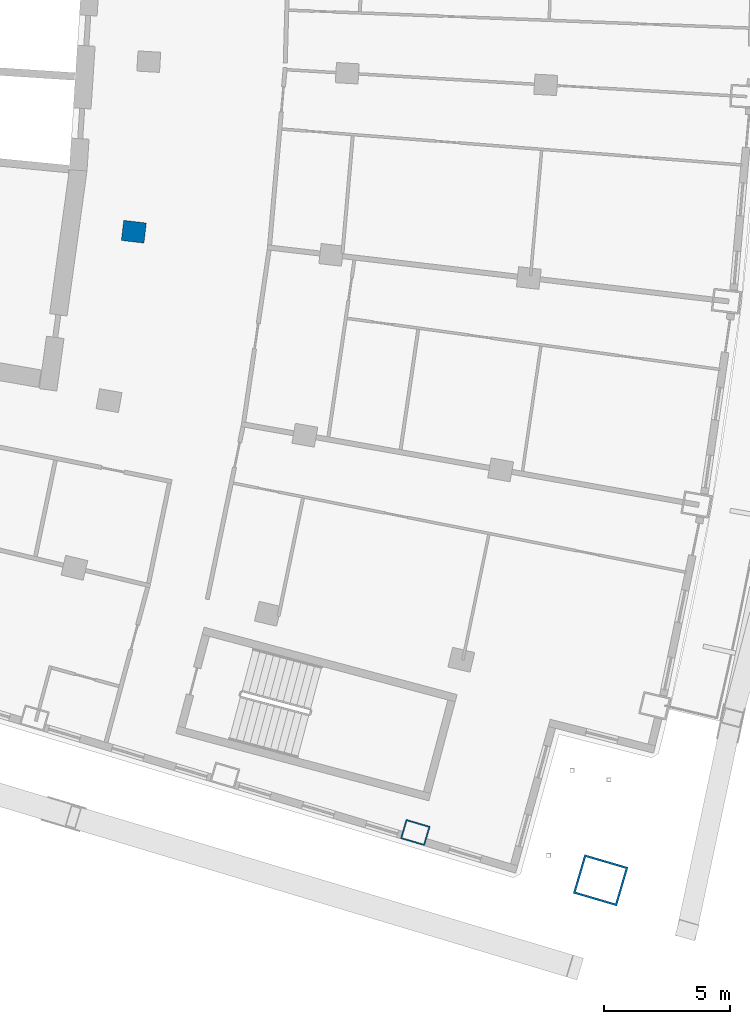
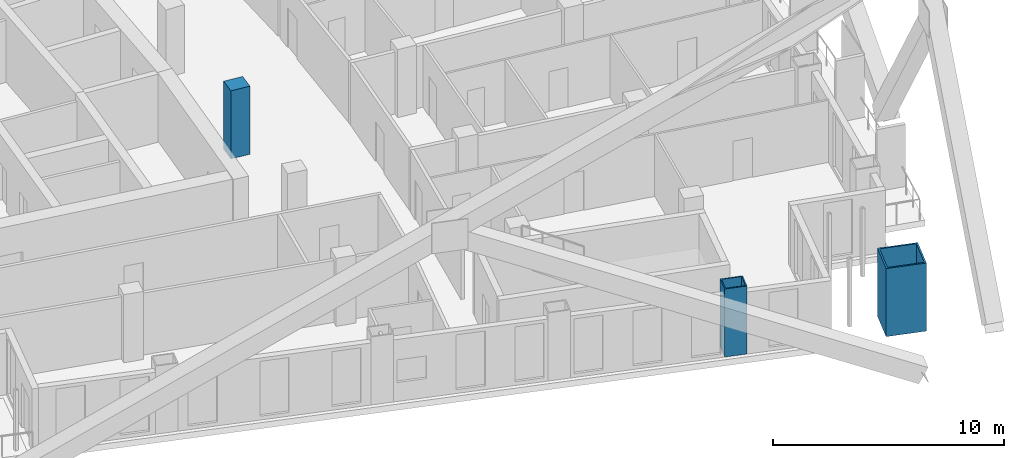
# One storey, part 4 of 22: 3 columns.
"""IFC4 building model written with IfcOpenShell, lengths in metres."""

from ifc_helpers import new_model, si_unit, direction, frame, origin, origin_2d, place, context, subcontext, project, spatial, rectangle, hollow_rectangle, extrude, material, material_profile, profile_set, type_object, element, save


model = new_model("IFC4")

# Units and contexts
model_context = context("Model", 3, precision=1e-05, world=origin(), true_north=direction((0.0, 1.0)))
body_context = subcontext(model_context, "Body", "Model", "MODEL_VIEW")
ifc_project = project(units=[si_unit("LENGTHUNIT", "METRE"), si_unit("AREAUNIT", "SQUARE_METRE"), si_unit("VOLUMEUNIT", "CUBIC_METRE"), si_unit("PLANEANGLEUNIT", "RADIAN"), si_unit("MASSUNIT", "GRAM", prefix="KILO")], contexts=[model_context])

# Site, building, storey
site_placement = place(None, origin())
site = spatial("IfcSite", under=ifc_project, at=site_placement, CompositionType="ELEMENT")
building_placement = place(site_placement, origin())
building = spatial("IfcBuilding", under=site, at=building_placement, Name="Alderwake Tower", CompositionType="ELEMENT")
storey_placement = place(building_placement, frame((0.0, 0.0, 160.39990234375)))
storey = spatial("IfcBuildingStorey", under=building, at=storey_placement, Name="L39", CompositionType="ELEMENT", Elevation=160.39990234375)

# Columns
ifc_material_1 = material(Name="Steel ASTM A572 Grade 50 concrete filled C70/85", Category="concrete")
ifc_material_profile_1 = material_profile(ifc_material_1, hollow_rectangle(XDim=0.800048828125, YDim=1.0, WallThickness=0.054931640625, at=origin_2d()), Name="BOX 1000X800X55")
ifc_profile_set_1 = profile_set([ifc_material_profile_1], Name="Steel ASTM A572 Grade 50 concrete filled C70/85")
column_type_1 = type_object("IfcColumnType", Name="End column Z3", PredefinedType="COLUMN", material=ifc_profile_set_1)
column_1_placement = place(storey_placement, frame((46.1494140625, 23.752685546875, 0.0), z_axis=(0.0, 0.0, 1.0), x_axis=(0.283176834711, 0.959067714128, 0.0)))
element("IfcColumn", 1, at=column_1_placement, inside=storey, type_object=column_type_1, Name="Column R02-C4", PredefinedType="COLUMN", context=body_context, shape_type="SweptSolid", body=[
    extrude(hollow_rectangle(XDim=0.800048828125, YDim=1.0, WallThickness=0.054931640625, at=origin_2d()), origin(), (0.0, 0.0, 1.0), 3.60009765625),
])
ifc_material_2 = material(Name="Concrete C70/85", Category="concrete")
ifc_material_profile_2 = material_profile(ifc_material_2, rectangle(XDim=0.800048828125, YDim=0.89990234375, at=origin_2d()), Name="RC 900X800")
ifc_profile_set_2 = profile_set([ifc_material_profile_2], Name="Concrete C70/85")
column_type_2 = type_object("IfcColumnType", Name="Interior column Z3", PredefinedType="COLUMN", material=ifc_profile_set_2)
column_2_placement = place(storey_placement, frame((35.0126953125, 47.5205078125, 0.0), z_axis=(0.0, 0.0, 1.0), x_axis=(0.116402054316, 0.993202175668, 0.0)))
element("IfcColumn", 2, at=column_2_placement, inside=storey, type_object=column_type_2, Name="Column R05-C2", PredefinedType="COLUMN", context=body_context, shape_type="SweptSolid", body=[
    extrude(rectangle(XDim=0.800048828125, YDim=0.89990234375, at=origin_2d()), origin(), (0.0, 0.0, 1.0), 3.60009765625),
])
ifc_material_3 = material(Name="Steel ASTM A572 Grade 50 concrete filled C70/85", Category="concrete")
ifc_material_profile_3 = material_profile(ifc_material_3, hollow_rectangle(XDim=1.60009765625, YDim=1.800048828125, WallThickness=0.080078125, at=origin_2d()), Name="BOX 1800X1600X80")
ifc_profile_set_3 = profile_set([ifc_material_profile_3], Name="Steel ASTM A572 Grade 50 concrete filled C70/85")
column_type_3 = type_object("IfcColumnType", Name="Mega column Z3", PredefinedType="COLUMN", material=ifc_profile_set_3)
column_3_placement = place(storey_placement, frame((53.480712890625, 21.86279296875, 0.0), z_axis=(0.0, 0.0, 1.0), x_axis=(0.281360158561, 0.959602241126, 0.0)))
element("IfcColumn", 3, at=column_3_placement, inside=storey, type_object=column_type_3, Name="Column R02-C5", PredefinedType="COLUMN", context=body_context, shape_type="SweptSolid", body=[
    extrude(hollow_rectangle(XDim=1.60009765625, YDim=1.800048828125, WallThickness=0.080078125, at=origin_2d()), origin(), (0.0, 0.0, 1.0), 3.60009765625),
])

save(model, "model.ifc")
